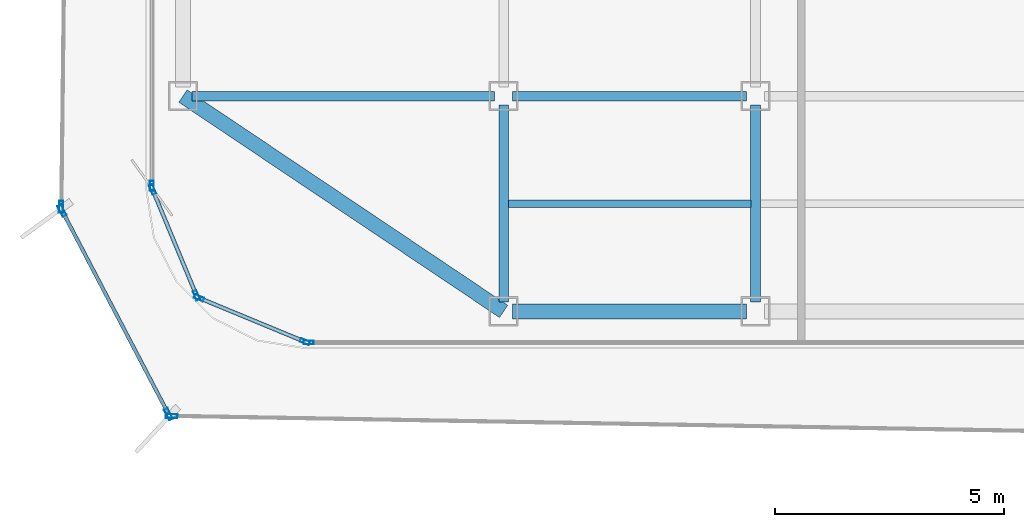
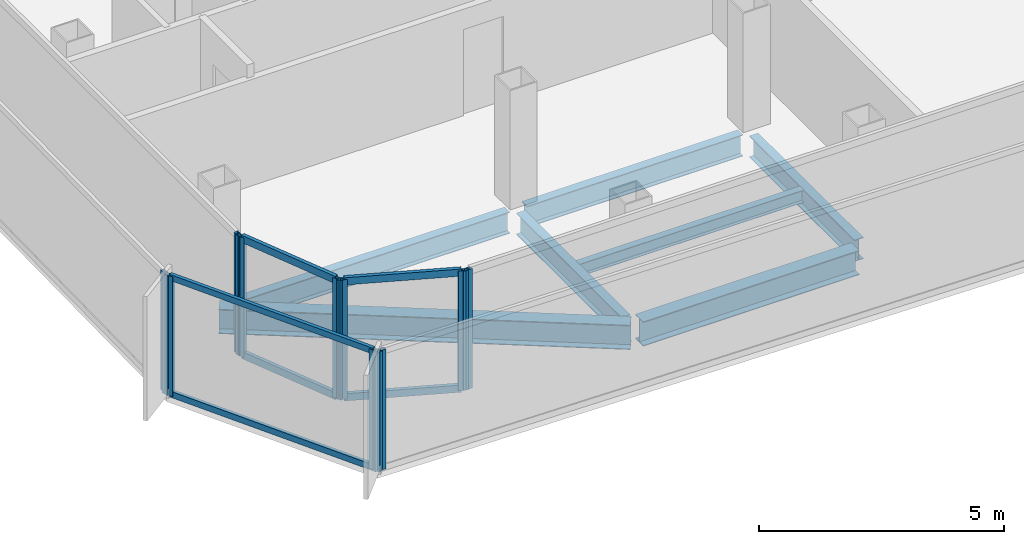
# One storey, part 2 of 15: 16 members, 7 beams, 7 elements without a shape of their own.
"""IFC4 building model written with IfcOpenShell, lengths in metres."""

from ifc_helpers import new_model, si_unit, direction, frame, origin, origin_2d, place, context, subcontext, project, spatial, hollow_rectangle, i_section, extrude, source, transform, mapped, material, layer, layer_set, material_profile, profile_set, type_object, element, aggregate, save


model = new_model("IFC4")

# Units and contexts
model_context = context("Model", 3, precision=1e-05, world=origin(), true_north=direction((0.0, 1.0)))
body_context = subcontext(model_context, "Body", "Model", "MODEL_VIEW")
ifc_project = project(units=[si_unit("LENGTHUNIT", "METRE"), si_unit("AREAUNIT", "SQUARE_METRE"), si_unit("VOLUMEUNIT", "CUBIC_METRE"), si_unit("PLANEANGLEUNIT", "RADIAN"), si_unit("MASSUNIT", "GRAM", prefix="KILO")], contexts=[model_context])

# Site, building, storey
site_placement = place(None, origin())
site = spatial("IfcSite", under=ifc_project, at=site_placement, CompositionType="ELEMENT")
building_placement = place(site_placement, origin())
building = spatial("IfcBuilding", under=site, at=building_placement, Name="Kolveth Station Tower", CompositionType="ELEMENT")
storey_placement = place(building_placement, frame((0.0, 0.0, 229.699951171875)))
storey = spatial("IfcBuildingStorey", under=building, at=storey_placement, Name="L65", CompositionType="ELEMENT", Elevation=229.699951171875)

# Beams
ifc_material_1 = material(Name="Steel S355", Category="steel")
ifc_material_profile_1 = material_profile(ifc_material_1, i_section(OverallWidth=0.323974609375, OverallDepth=0.611083984375, WebThickness=0.0126953125, FlangeThickness=0.01904296875, at=origin_2d()), Name="W610x155")
ifc_profile_set_1 = profile_set([ifc_material_profile_1], Name="Steel S355")
beam_type_1 = type_object("IfcBeamType", Name="Beam_SP2", PredefinedType="SPANDREL", material=ifc_profile_set_1)
shared_shape_1 = source(origin(), body_context, "Body", "SweptSolid", [
    extrude(i_section(OverallWidth=0.323974609375, OverallDepth=0.611083984375, WebThickness=0.0126953125, FlangeThickness=0.01904296875, at=origin_2d()), origin(), (0.0, 0.0, 1.0), 8.431396484375),
])
beam_1_placement = place(storey_placement, frame((6.0, 5.5, -0.525390625), z_axis=(0.830223811004, -0.557430196206, 0.0), x_axis=(0.557430196206, 0.830223811004, 0.0)))
element("IfcBeam", 1, at=beam_1_placement, inside=storey, type_object=beam_type_1, Name="L65 Corner Edge Girder BM-L65-CNR-SW", PredefinedType="SPANDREL", context=body_context, shape_type="MappedRepresentation", body=[
    mapped(shared_shape_1, transform((0.0, 0.0, 0.0), x_axis=(1.0, 0.0, 0.0), y_axis=(0.0, 1.0, 0.0), z_axis=(0.0, 0.0, 1.0), scale=1.0)),
])
shared_shape_2 = source(origin(), body_context, "Body", "SweptSolid", [
    extrude(i_section(OverallWidth=0.323974609375, OverallDepth=0.611083984375, WebThickness=0.0126953125, FlangeThickness=0.01904296875, at=origin_2d()), origin(), (0.0, 0.0, 1.0), 5.10009765625),
])
beam_2_placement = place(storey_placement, frame((13.199951171875, 0.800048828125, -0.525390625), z_axis=(1.0, 0.0, 0.0), x_axis=(0.0, 1.0, 0.0)))
element("IfcBeam", 2, at=beam_2_placement, inside=storey, type_object=beam_type_1, Name="L65 Perimeter Spandrel BM-L65-PS-1", PredefinedType="SPANDREL", context=body_context, shape_type="MappedRepresentation", body=[
    mapped(shared_shape_2, transform((0.0, 0.0, 0.0), x_axis=(1.0, 0.0, 0.0), y_axis=(0.0, 1.0, 0.0), z_axis=(0.0, 0.0, 1.0), scale=1.0)),
])
ifc_material_profile_2 = material_profile(ifc_material_1, i_section(OverallWidth=0.2099609375, OverallDepth=0.537109375, WebThickness=0.010986328125, FlangeThickness=0.017333984375, at=origin_2d()), Name="W530x101")
ifc_profile_set_2 = profile_set([ifc_material_profile_2], Name="Steel S355")
beam_type_2 = type_object("IfcBeamType", Name="Beam_B6", PredefinedType="BEAM", material=ifc_profile_set_2)
shared_shape_3 = source(origin(), body_context, "Body", "SweptSolid", [
    extrude(i_section(OverallWidth=0.2099609375, OverallDepth=0.537109375, WebThickness=0.010986328125, FlangeThickness=0.017333984375, at=origin_2d()), origin(), (0.0, 0.0, 1.0), 6.60009765625),
])
beam_3_placement = place(storey_placement, frame((6.199951171875, 5.5, -0.488525390625), z_axis=(1.0, 0.0, 0.0), x_axis=(0.0, 1.0, 0.0)))
element("IfcBeam", 3, at=beam_3_placement, inside=storey, type_object=beam_type_2, Name="L65 Primary Girder BM-L65-GY55-1", PredefinedType="BEAM", context=body_context, shape_type="MappedRepresentation", body=[
    mapped(shared_shape_3, transform((0.0, 0.0, 0.0), x_axis=(1.0, 0.0, 0.0), y_axis=(0.0, 1.0, 0.0), z_axis=(0.0, 0.0, 1.0), scale=1.0)),
])
shared_shape_4 = source(origin(), body_context, "Body", "SweptSolid", [
    extrude(i_section(OverallWidth=0.2099609375, OverallDepth=0.537109375, WebThickness=0.010986328125, FlangeThickness=0.017333984375, at=origin_2d()), origin(), (0.0, 0.0, 1.0), 5.10009765625),
])
beam_4_placement = place(storey_placement, frame((13.199951171875, 5.5, -0.488525390625), z_axis=(1.0, 0.0, 0.0), x_axis=(0.0, 1.0, 0.0)))
element("IfcBeam", 4, at=beam_4_placement, inside=storey, type_object=beam_type_2, Name="L65 Primary Girder BM-L65-GY55-2", PredefinedType="BEAM", context=body_context, shape_type="MappedRepresentation", body=[
    mapped(shared_shape_4, transform((0.0, 0.0, 0.0), x_axis=(1.0, 0.0, 0.0), y_axis=(0.0, 1.0, 0.0), z_axis=(0.0, 0.0, 1.0), scale=1.0)),
])
shared_shape_5 = source(origin(), body_context, "Body", "SweptSolid", [
    extrude(i_section(OverallWidth=0.2099609375, OverallDepth=0.537109375, WebThickness=0.010986328125, FlangeThickness=0.017333984375, at=origin_2d()), origin(), (0.0, 0.0, 1.0), 4.300048828125),
])
for number, where, z_axis, x_axis, name in (
    (5, (13.0, 1.0, -0.488525390625), (0.0, 1.0, 0.0), (-1.0, 0.0, 0.0), "L65 Primary Girder BM-L65-GX130-1"),
    (6, (18.5, 1.0, -0.488525390625), (0.0, 1.0, 0.0), (-1.0, 0.0, 0.0), "L65 Primary Girder BM-L65-GX185-1"),
):
    element("IfcBeam", number, at=place(storey_placement, frame(where, z_axis=z_axis, x_axis=x_axis)), inside=storey, type_object=beam_type_2, Name=name, PredefinedType="BEAM", context=body_context, shape_type="MappedRepresentation", body=[
        mapped(shared_shape_5, transform((0.0, 0.0, 0.0), x_axis=(1.0, 0.0, 0.0), y_axis=(0.0, 1.0, 0.0), z_axis=(0.0, 0.0, 1.0), scale=1.0)),
    ])
ifc_material_profile_3 = material_profile(ifc_material_1, i_section(OverallWidth=0.1650390625, OverallDepth=0.31005859375, WebThickness=0.005859375, FlangeThickness=0.009765625, at=origin_2d()), Name="W310x39")
ifc_profile_set_3 = profile_set([ifc_material_profile_3], Name="Steel S355")
beam_type_3 = type_object("IfcBeamType", Name="Beam_J3", PredefinedType="JOIST", material=ifc_profile_set_3)
shared_shape_6 = source(origin(), body_context, "Body", "SweptSolid", [
    extrude(i_section(OverallWidth=0.1650390625, OverallDepth=0.31005859375, WebThickness=0.005859375, FlangeThickness=0.009765625, at=origin_2d()), origin(), (0.0, 0.0, 1.0), 5.2939453125),
])
beam_5_placement = place(storey_placement, frame((13.10302734375, 3.14990234375, -0.375), z_axis=(1.0, 0.0, 0.0), x_axis=(0.0, 1.0, 0.0)))
element("IfcBeam", 7, at=beam_5_placement, inside=storey, type_object=beam_type_3, Name="L65 Secondary Joist JST-L65-2-1", PredefinedType="JOIST", context=body_context, shape_type="MappedRepresentation", body=[
    mapped(shared_shape_6, transform((0.0, 0.0, 0.0), x_axis=(1.0, 0.0, 0.0), y_axis=(0.0, 1.0, 0.0), z_axis=(0.0, 0.0, 1.0), scale=1.0)),
])

# Curtain wall, member
ifc_material_2 = material(Name="Black anodized aluminium 6063-T6 and dark solar glass", Category="aluminium")
ifc_layer_1 = layer(ifc_material_2, 0.159912109375)
ifc_layer_set_1 = layer_set([ifc_layer_1], Name="Black anodized aluminium 6063-T6 and dark solar glass")
curtain_wall_type_1 = type_object("IfcCurtainWallType", Name="OUTER SKIN CW-OS", PredefinedType="NOTDEFINED", material=ifc_layer_set_1)
curtain_wall_1_placement = place(storey_placement, origin())
curtain_wall_1 = element("IfcCurtainWall", 8, at=curtain_wall_1_placement, inside=storey, type_object=curtain_wall_type_1, Name="L65 Outer Ventilated Skin Curtain Wall 6", PredefinedType="NOTDEFINED")
ifc_material_3 = material(Name="Black anodized aluminium 6063-T6", Category="aluminium")
ifc_material_profile_4 = material_profile(ifc_material_3, hollow_rectangle(XDim=0.090087890625, YDim=0.260009765625, WallThickness=0.0048828125, at=origin_2d()), Name="ALU-90x260x5")
ifc_profile_set_4 = profile_set([ifc_material_profile_4], Name="Black anodized aluminium 6063-T6")
member_type_1 = type_object("IfcMemberType", Name="FIN MULLION ML-OS", PredefinedType="MULLION", material=ifc_profile_set_4)
shared_shape_7 = source(origin(), body_context, "Body", "SweptSolid", [
    extrude(hollow_rectangle(XDim=0.090087890625, YDim=0.260009765625, WallThickness=0.0048828125, at=origin_2d()), origin(), (0.0, 0.0, 1.0), 2.989990234375),
])
member_1_placement = place(storey_placement, frame((3.339111328125, 3.083740234375, 0.0), z_axis=(0.0, 0.0, 1.0), x_axis=(0.999933170513, -0.011560904319, 0.0)))
member_1 = element("IfcMember", 9, at=member_1_placement, type_object=member_type_1, Name="CW-OS mullion 2", PredefinedType="MULLION", context=body_context, shape_type="MappedRepresentation", body=[
    mapped(shared_shape_7, transform((0.0, 0.0, 0.0), x_axis=(1.0, 0.0, 0.0), y_axis=(0.0, 1.0, 0.0), z_axis=(0.0, 0.0, 1.0), scale=1.0)),
])
aggregate(curtain_wall_1, [member_1])

# Curtain wall, members
curtain_wall_2_placement = place(storey_placement, origin())
curtain_wall_2 = element("IfcCurtainWall", 10, at=curtain_wall_2_placement, inside=storey, type_object=curtain_wall_type_1, Name="L65 Outer Ventilated Skin Curtain Wall 7", PredefinedType="NOTDEFINED")
member_2_placement = place(storey_placement, frame((3.359375, 2.9990234375, 0.0), z_axis=(0.0, 0.0, 1.0), x_axis=(0.886062571529, 0.463565658062, 0.0)))
member_2 = element("IfcMember", 11, at=member_2_placement, type_object=member_type_1, Name="CW-OS mullion 1", PredefinedType="MULLION", context=body_context, shape_type="MappedRepresentation", body=[
    mapped(shared_shape_7, transform((0.0, 0.0, 0.0), x_axis=(1.0, 0.0, 0.0), y_axis=(0.0, 1.0, 0.0), z_axis=(0.0, 0.0, 1.0), scale=1.0)),
])
member_3_placement = place(storey_placement, frame((5.6845703125, -1.445556640625, 0.0), z_axis=(0.0, 0.0, 1.0), x_axis=(0.886062571529, 0.463565658062, 0.0)))
member_3 = element("IfcMember", 12, at=member_3_placement, type_object=member_type_1, Name="CW-OS mullion 2", PredefinedType="MULLION", context=body_context, shape_type="MappedRepresentation", body=[
    mapped(shared_shape_7, transform((0.0, 0.0, 0.0), x_axis=(1.0, 0.0, 0.0), y_axis=(0.0, 1.0, 0.0), z_axis=(0.0, 0.0, 1.0), scale=1.0)),
])

# Curtain wall, member
curtain_wall_3_placement = place(storey_placement, origin())
curtain_wall_3 = element("IfcCurtainWall", 13, at=curtain_wall_3_placement, inside=storey, type_object=curtain_wall_type_1, Name="L65 Outer Ventilated Skin Curtain Wall 8", PredefinedType="NOTDEFINED")
member_4_placement = place(storey_placement, frame((5.75048828125, -1.486328125, 0.0), z_axis=(0.0, 0.0, 1.0), x_axis=(0.017489181543, 0.999847052568, 0.0)))
member_4 = element("IfcMember", 14, at=member_4_placement, type_object=member_type_1, Name="CW-OS mullion 1", PredefinedType="MULLION", context=body_context, shape_type="MappedRepresentation", body=[
    mapped(shared_shape_7, transform((0.0, 0.0, 0.0), x_axis=(1.0, 0.0, 0.0), y_axis=(0.0, 1.0, 0.0), z_axis=(0.0, 0.0, 1.0), scale=1.0)),
])
aggregate(curtain_wall_3, [member_4])

ifc_material_4 = material(Name="Aluminium 6063-T6 and triple low-E dark glass", Category="aluminium")
ifc_layer_2 = layer(ifc_material_4, 0.199951171875)
ifc_layer_set_2 = layer_set([ifc_layer_2], Name="Aluminium 6063-T6 and triple low-E dark glass")
curtain_wall_type_2 = type_object("IfcCurtainWallType", Name="CurtainWall_CW-Z3", PredefinedType="NOTDEFINED", material=ifc_layer_set_2)
curtain_wall_4_placement = place(storey_placement, origin())
curtain_wall_4 = element("IfcCurtainWall", 15, at=curtain_wall_4_placement, inside=storey, type_object=curtain_wall_type_2, Name="L65 Inner Thermal Curtain Wall 9", PredefinedType="NOTDEFINED")
ifc_material_profile_5 = material_profile(ifc_material_3, hollow_rectangle(XDim=0.0849609375, YDim=0.215087890625, WallThickness=0.0048828125, at=origin_2d()), Name="ALU-85x215x5")
ifc_profile_set_5 = profile_set([ifc_material_profile_5], Name="Black anodized aluminium 6063-T6")
member_type_2 = type_object("IfcMemberType", Name="Mullion_ML3", PredefinedType="MULLION", material=ifc_profile_set_5)
shared_shape_8 = source(origin(), body_context, "Body", "SweptSolid", [
    extrude(hollow_rectangle(XDim=0.0849609375, YDim=0.215087890625, WallThickness=0.0048828125, at=origin_2d()), origin(), (0.0, 0.0, 1.0), 2.97998046875),
])
member_5_placement = place(storey_placement, frame((5.320068359375, 3.54248046875, 0.0), z_axis=(0.0, 0.0, 1.0), x_axis=(1.0, 0.0, 0.0)))
member_5 = element("IfcMember", 16, at=member_5_placement, type_object=member_type_2, Name="CW-Z3 mullion 2", PredefinedType="MULLION", context=body_context, shape_type="MappedRepresentation", body=[
    mapped(shared_shape_8, transform((0.0, 0.0, 0.0), x_axis=(1.0, 0.0, 0.0), y_axis=(0.0, 1.0, 0.0), z_axis=(0.0, 0.0, 1.0), scale=1.0)),
])
aggregate(curtain_wall_4, [member_5])

# Curtain wall, members
curtain_wall_5_placement = place(storey_placement, origin())
curtain_wall_5 = element("IfcCurtainWall", 17, at=curtain_wall_5_placement, inside=storey, type_object=curtain_wall_type_2, Name="L65 Inner Thermal Curtain Wall 10", PredefinedType="NOTDEFINED")
member_6_placement = place(storey_placement, frame((5.336181640625, 3.460693359375, 0.0), z_axis=(0.0, 0.0, 1.0), x_axis=(0.923875488975, 0.382693194181, 0.0)))
member_6 = element("IfcMember", 18, at=member_6_placement, type_object=member_type_2, Name="CW-Z3 mullion 1", PredefinedType="MULLION", context=body_context, shape_type="MappedRepresentation", body=[
    mapped(shared_shape_8, transform((0.0, 0.0, 0.0), x_axis=(1.0, 0.0, 0.0), y_axis=(0.0, 1.0, 0.0), z_axis=(0.0, 0.0, 1.0), scale=1.0)),
])
member_7_placement = place(storey_placement, frame((6.293701171875, 1.149169921875, 0.0), z_axis=(0.0, 0.0, 1.0), x_axis=(0.923875488975, 0.382693194181, 0.0)))
member_7 = element("IfcMember", 19, at=member_7_placement, type_object=member_type_2, Name="CW-Z3 mullion 2", PredefinedType="MULLION", context=body_context, shape_type="MappedRepresentation", body=[
    mapped(shared_shape_8, transform((0.0, 0.0, 0.0), x_axis=(1.0, 0.0, 0.0), y_axis=(0.0, 1.0, 0.0), z_axis=(0.0, 0.0, 1.0), scale=1.0)),
])

curtain_wall_6_placement = place(storey_placement, origin())
curtain_wall_6 = element("IfcCurtainWall", 20, at=curtain_wall_6_placement, inside=storey, type_object=curtain_wall_type_2, Name="L65 Inner Thermal Curtain Wall 11", PredefinedType="NOTDEFINED")
member_8_placement = place(storey_placement, frame((6.349365234375, 1.09375, 0.0), z_axis=(0.0, 0.0, 1.0), x_axis=(0.382693194181, 0.923875488975, 0.0)))
member_8 = element("IfcMember", 21, at=member_8_placement, type_object=member_type_2, Name="CW-Z3 mullion 1", PredefinedType="MULLION", context=body_context, shape_type="MappedRepresentation", body=[
    mapped(shared_shape_8, transform((0.0, 0.0, 0.0), x_axis=(1.0, 0.0, 0.0), y_axis=(0.0, 1.0, 0.0), z_axis=(0.0, 0.0, 1.0), scale=1.0)),
])
member_9_placement = place(storey_placement, frame((8.66064453125, 0.13623046875, 0.0), z_axis=(0.0, 0.0, 1.0), x_axis=(0.382693194181, 0.923875488975, 0.0)))
member_9 = element("IfcMember", 22, at=member_9_placement, type_object=member_type_2, Name="CW-Z3 mullion 2", PredefinedType="MULLION", context=body_context, shape_type="MappedRepresentation", body=[
    mapped(shared_shape_8, transform((0.0, 0.0, 0.0), x_axis=(1.0, 0.0, 0.0), y_axis=(0.0, 1.0, 0.0), z_axis=(0.0, 0.0, 1.0), scale=1.0)),
])

# Curtain wall, member
curtain_wall_7_placement = place(storey_placement, origin())
curtain_wall_7 = element("IfcCurtainWall", 23, at=curtain_wall_7_placement, inside=storey, type_object=curtain_wall_type_2, Name="L65 Inner Thermal Curtain Wall 12", PredefinedType="NOTDEFINED")
member_10_placement = place(storey_placement, frame((8.742431640625, 0.1201171875, 0.0), z_axis=(0.0, 0.0, 1.0), x_axis=(0.0, 1.0, 0.0)))
member_10 = element("IfcMember", 24, at=member_10_placement, type_object=member_type_2, Name="CW-Z3 mullion 1", PredefinedType="MULLION", context=body_context, shape_type="MappedRepresentation", body=[
    mapped(shared_shape_8, transform((0.0, 0.0, 0.0), x_axis=(1.0, 0.0, 0.0), y_axis=(0.0, 1.0, 0.0), z_axis=(0.0, 0.0, 1.0), scale=1.0)),
])
aggregate(curtain_wall_7, [member_10])

# Member
ifc_material_profile_6 = material_profile(ifc_material_3, hollow_rectangle(XDim=0.0849609375, YDim=0.179931640625, WallThickness=0.0048828125, at=origin_2d()), Name="ALU-85x180x5")
ifc_profile_set_6 = profile_set([ifc_material_profile_6], Name="Black anodized aluminium 6063-T6")
member_type_3 = type_object("IfcMemberType", Name="Transom_TR3", PredefinedType="USERDEFINED", material=ifc_profile_set_6)
shared_shape_9 = source(origin(), body_context, "Body", "SweptSolid", [
    extrude(hollow_rectangle(XDim=0.0849609375, YDim=0.179931640625, WallThickness=0.0048828125, at=origin_2d()), origin(), (0.0, 0.0, 1.0), 2.4169921875),
])
member_11_placement = place(storey_placement, frame((5.3525390625, 3.42138671875, 0.04248046875), z_axis=(0.382735401206, -0.9238580046, 0.0), x_axis=(0.9238580046, 0.382735401206, 0.0)))
member_11 = element("IfcMember", 25, at=member_11_placement, type_object=member_type_3, Name="CW-Z3 transom 1.1", ObjectType="TRANSOM", PredefinedType="USERDEFINED", context=body_context, shape_type="MappedRepresentation", body=[
    mapped(shared_shape_9, transform((0.0, 0.0, 0.0), x_axis=(1.0, 0.0, 0.0), y_axis=(0.0, 1.0, 0.0), z_axis=(0.0, 0.0, 1.0), scale=1.0)),
])

member_12_placement = place(storey_placement, frame((5.3525390625, 3.42138671875, 2.9375), z_axis=(0.382735401206, -0.9238580046, 0.0), x_axis=(0.9238580046, 0.382735401206, 0.0)))
member_12 = element("IfcMember", 26, at=member_12_placement, type_object=member_type_3, Name="CW-Z3 transom 1.2", ObjectType="TRANSOM", PredefinedType="USERDEFINED", context=body_context, shape_type="MappedRepresentation", body=[
    mapped(shared_shape_9, transform((0.0, 0.0, 0.0), x_axis=(1.0, 0.0, 0.0), y_axis=(0.0, 1.0, 0.0), z_axis=(0.0, 0.0, 1.0), scale=1.0)),
])

aggregate(curtain_wall_5, [member_6, member_7, member_11, member_12])

member_13_placement = place(storey_placement, frame((6.388427734375, 1.077392578125, 0.04248046875), z_axis=(0.923908507952, -0.382613471971, 0.0), x_axis=(0.382613471971, 0.923908507952, 0.0)))
member_13 = element("IfcMember", 27, at=member_13_placement, type_object=member_type_3, Name="CW-Z3 transom 1.1", ObjectType="TRANSOM", PredefinedType="USERDEFINED", context=body_context, shape_type="MappedRepresentation", body=[
    mapped(shared_shape_9, transform((0.0, 0.0, 0.0), x_axis=(1.0, 0.0, 0.0), y_axis=(0.0, 1.0, 0.0), z_axis=(0.0, 0.0, 1.0), scale=1.0)),
])

member_14_placement = place(storey_placement, frame((6.388427734375, 1.077392578125, 2.9375), z_axis=(0.923908507952, -0.382613471971, 0.0), x_axis=(0.382613471971, 0.923908507952, 0.0)))
member_14 = element("IfcMember", 28, at=member_14_placement, type_object=member_type_3, Name="CW-Z3 transom 1.2", ObjectType="TRANSOM", PredefinedType="USERDEFINED", context=body_context, shape_type="MappedRepresentation", body=[
    mapped(shared_shape_9, transform((0.0, 0.0, 0.0), x_axis=(1.0, 0.0, 0.0), y_axis=(0.0, 1.0, 0.0), z_axis=(0.0, 0.0, 1.0), scale=1.0)),
])

aggregate(curtain_wall_6, [member_8, member_9, member_13, member_14])

ifc_material_profile_7 = material_profile(ifc_material_3, hollow_rectangle(XDim=0.080078125, YDim=0.14990234375, WallThickness=0.0048828125, at=origin_2d()), Name="ALU-80x150x5")
ifc_profile_set_7 = profile_set([ifc_material_profile_7], Name="Black anodized aluminium 6063-T6")
member_type_4 = type_object("IfcMemberType", Name="Transom_TR-OS", PredefinedType="USERDEFINED", material=ifc_profile_set_7)
shared_shape_10 = source(origin(), body_context, "Body", "SweptSolid", [
    extrude(hollow_rectangle(XDim=0.080078125, YDim=0.14990234375, WallThickness=0.0048828125, at=origin_2d()), origin(), (0.0, 0.0, 1.0), 4.926025390625),
])
member_15_placement = place(storey_placement, frame((3.380126953125, 2.958984375, 0.0400390625), z_axis=(0.463592114255, -0.886048729811, 0.0), x_axis=(0.886048729811, 0.463592114255, 0.0)))
member_15 = element("IfcMember", 29, at=member_15_placement, type_object=member_type_4, Name="CW-OS transom 1.1", ObjectType="TRANSOM", PredefinedType="USERDEFINED", context=body_context, shape_type="MappedRepresentation", body=[
    mapped(shared_shape_10, transform((0.0, 0.0, 0.0), x_axis=(1.0, 0.0, 0.0), y_axis=(0.0, 1.0, 0.0), z_axis=(0.0, 0.0, 1.0), scale=1.0)),
])

member_16_placement = place(storey_placement, frame((3.380126953125, 2.958984375, 2.949951171875), z_axis=(0.463592114255, -0.886048729811, 0.0), x_axis=(0.886048729811, 0.463592114255, 0.0)))
member_16 = element("IfcMember", 30, at=member_16_placement, type_object=member_type_4, Name="CW-OS transom 1.2", ObjectType="TRANSOM", PredefinedType="USERDEFINED", context=body_context, shape_type="MappedRepresentation", body=[
    mapped(shared_shape_10, transform((0.0, 0.0, 0.0), x_axis=(1.0, 0.0, 0.0), y_axis=(0.0, 1.0, 0.0), z_axis=(0.0, 0.0, 1.0), scale=1.0)),
])

aggregate(curtain_wall_2, [member_2, member_3, member_15, member_16])

save(model, "model.ifc")
